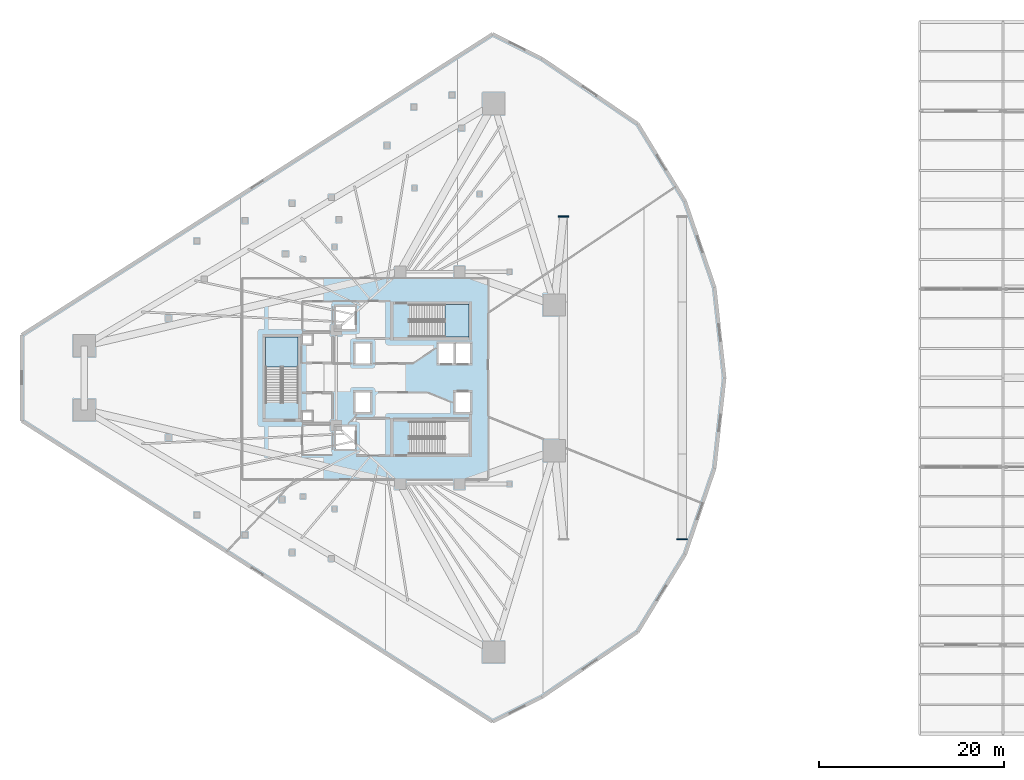
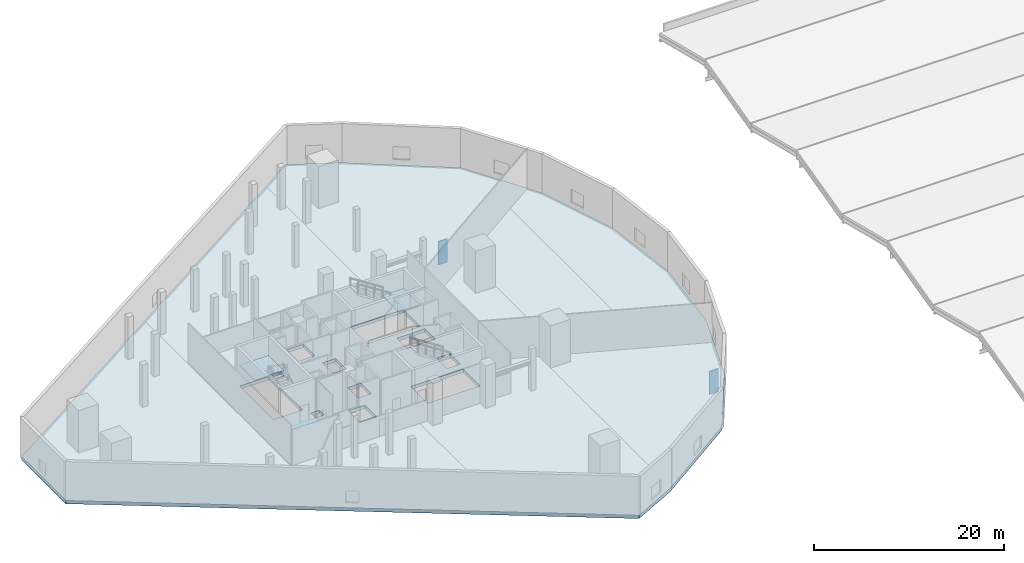
# One storey, part 19 of 36: 3 slabs, 2 plates, 2 elements without a shape of their own.
"""IFC4 building model written with IfcOpenShell, lengths in metres."""

from ifc_helpers import new_model, si_unit, direction, frame, origin, origin_2d, place, context, subcontext, project, spatial, polyline, rectangle, outline, extrude, material, layer, layer_set, type_object, element, aggregate, save


model = new_model("IFC4")

# Units and contexts
model_context = context("Model", 3, precision=1e-05, world=origin(), true_north=direction((0.0, 1.0)))
body_context = subcontext(model_context, "Body", "Model", "MODEL_VIEW")
ifc_project = project(units=[si_unit("LENGTHUNIT", "METRE"), si_unit("AREAUNIT", "SQUARE_METRE"), si_unit("VOLUMEUNIT", "CUBIC_METRE"), si_unit("PLANEANGLEUNIT", "RADIAN"), si_unit("MASSUNIT", "GRAM", prefix="KILO")], contexts=[model_context])

# Site, building, storey
site_placement = place(None, origin())
site = spatial("IfcSite", under=ifc_project, at=site_placement, CompositionType="ELEMENT")
building_placement = place(site_placement, origin())
building = spatial("IfcBuilding", under=site, at=building_placement, Name="Qorvath Tower", CompositionType="ELEMENT")
storey_placement = place(building_placement, frame((0.0, 0.0, 27.0)))
storey = spatial("IfcBuildingStorey", under=building, at=storey_placement, Name="L05", CompositionType="ELEMENT", Elevation=27.0)

# Plates
ifc_material_1 = material(Name="Steel ASTM A572 Grade 42", Category="steel")
ifc_layer_1 = layer(ifc_material_1, 0.1201171875)
ifc_layer_set_1 = layer_set([ifc_layer_1], Name="PL-TG1")
plate_type = type_object("IfcPlateType", Name="PL-TG1", PredefinedType="SHEET", material=ifc_layer_set_1)
for number, where, z_axis, x_axis, name in (
    (1, (6.800048828125, -17.39990234375, -3.419921875), (0.0, 0.0, 1.0), (1.0, 0.0, 0.0), "L05 Transfer Girder Bearing Plate FRONT"),
    (2, (-6.0, 17.39990234375, -3.419921875), (0.0, 0.0, 1.0), (1.0, 0.0, 0.0), "L05 Transfer Girder Bearing Plate INNER"),
):
    element("IfcPlate", number, at=place(storey_placement, frame(where, z_axis=z_axis, x_axis=x_axis)), inside=storey, type_object=plate_type, Name=name, PredefinedType="SHEET", context=body_context, shape_type="SweptSolid", body=[
        extrude(rectangle(XDim=1.10009765625, YDim=0.1201171875, at=origin_2d()), origin(), (0.0, 0.0, 1.0), 3.0),
    ])

# Stair, slab
ifc_material_2 = material(Name="Concrete C50/60", Category="concrete")
stair_type = type_object("IfcStairType", Name="ST-H540", PredefinedType="HALF_TURN_STAIR", material=ifc_material_2)
stair_1_placement = place(storey_placement, origin())
stair_1 = element("IfcStair", 3, at=stair_1_placement, inside=storey, type_object=stair_type, Name="L05 Tower Exit Stair 1", PredefinedType="HALF_TURN_STAIR")
ifc_material_3 = material(Name="Concrete C50/60", Category="concrete")
ifc_layer_2 = layer(ifc_material_3, 0.199951171875)
ifc_layer_set_2 = layer_set([ifc_layer_2], Name="SL-LND-200")
slab_type_1 = type_object("IfcSlabType", Name="SL-LND-200", PredefinedType="LANDING", material=ifc_layer_set_2)
slab_1_placement = place(storey_placement, frame((0.0, 0.0, 2.5)))
slab_1 = element("IfcSlab", 4, at=slab_1_placement, type_object=slab_type_1, Name="TS1 landing 1", PredefinedType="LANDING", context=body_context, shape_type="SweptSolid", body=[
    extrude(outline(polyline([(-18.75, 4.39990234375), (-16.199951171875, 4.39990234375), (-16.199951171875, 7.909912109375), (-18.75, 7.909912109375), (-18.75, 4.39990234375)])), origin(), (0.0, 0.0, 1.0), 0.199951171875),
])
aggregate(stair_1, [slab_1])

stair_2_placement = place(storey_placement, origin())
stair_2 = element("IfcStair", 5, at=stair_2_placement, inside=storey, type_object=stair_type, Name="L05 Tower Exit Stair 3", PredefinedType="HALF_TURN_STAIR")
slab_2_placement = place(storey_placement, frame((0.0, 0.0, 2.5)))
slab_2 = element("IfcSlab", 6, at=slab_2_placement, type_object=slab_type_1, Name="TS3 landing 1", PredefinedType="LANDING", context=body_context, shape_type="SweptSolid", body=[
    extrude(outline(polyline([(-34.60009765625, 1.199951171875), (-34.60009765625, 4.39990234375), (-38.110107421875, 4.39990234375), (-38.110107421875, 1.199951171875), (-34.60009765625, 1.199951171875)])), origin(), (0.0, 0.0, 1.0), 0.199951171875),
])
aggregate(stair_2, [slab_2])

# Slab
ifc_material_4 = material(Name="Concrete C50/60", Category="concrete")
ifc_layer_3 = layer(ifc_material_4, 0.419921875)
ifc_layer_set_3 = layer_set([ifc_layer_3], Name="SL-TRF-420")
slab_type_2 = type_object("IfcSlabType", Name="SL-TRF-420", PredefinedType="FLOOR", material=ifc_layer_set_3)
slab_3_placement = place(storey_placement, frame((0.0, 0.0, -0.419921875)))
element("IfcSlab", 7, at=slab_3_placement, inside=storey, type_object=slab_type_2, Name="Tower L05 Floor Slab", PredefinedType="FLOOR", context=body_context, shape_type="SweptSolid", body=[
    extrude(outline(polyline([(-64.419189453125, 4.63671875), (-64.419189453125, -4.63671875), (-13.63525390625, -37.094482421875), (-8.3359375, -34.44482421875), (2.0205078125, -27.39501953125), (7.139404296875, -19.029052734375), (10.3125, -9.748779296875), (11.387451171875, 0.0), (10.3125, 9.748779296875), (7.139404296875, 19.029052734375), (2.0205078125, 27.39501953125), (-8.3359375, 34.44482421875), (-13.63525390625, 37.094482421875), (-64.419189453125, 4.63671875)]), holes=[polyline([(-17.64990234375, -3.699951171875), (-17.64990234375, -1.550048828125), (-16.050048828125, -1.550048828125), (-16.050048828125, -3.699951171875), (-17.64990234375, -3.699951171875)]), polyline([(-17.64990234375, 1.550048828125), (-17.64990234375, 3.699951171875), (-16.050048828125, 3.699951171875), (-16.050048828125, 1.550048828125), (-17.64990234375, 1.550048828125)]), polyline([(-16.2451171875, -8.199951171875), (-22.625, -8.199951171875), (-22.625, -4.68994140625), (-16.2451171875, -4.68994140625), (-16.2451171875, -8.199951171875)]), polyline([(-22.625, 4.39990234375), (-22.625, 7.909912109375), (-16.2451171875, 7.909912109375), (-16.2451171875, 4.39990234375), (-22.625, 4.39990234375)]), polyline([(-17.85009765625, 1.550048828125), (-19.449951171875, 1.550048828125), (-19.449951171875, 3.699951171875), (-17.85009765625, 3.699951171875), (-17.85009765625, 1.550048828125)]), polyline([(-28.449951171875, -3.699951171875), (-28.449951171875, -1.550048828125), (-26.85009765625, -1.550048828125), (-26.85009765625, -3.699951171875), (-28.449951171875, -3.699951171875)]), polyline([(-26.85009765625, 1.550048828125), (-28.449951171875, 1.550048828125), (-28.449951171875, 3.699951171875), (-26.85009765625, 3.699951171875), (-26.85009765625, 1.550048828125)]), polyline([(-28.5, -7.64990234375), (-30.5, -7.64990234375), (-30.5, -5.25), (-28.5, -5.25), (-28.5, -7.64990234375)]), polyline([(-30.5, 5.25), (-30.5, 7.64990234375), (-28.5, 7.64990234375), (-28.5, 5.25), (-30.5, 5.25)]), polyline([(-34.14990234375, -4.6201171875), (-34.14990234375, -3.64990234375), (-33.10009765625, -3.64990234375), (-33.10009765625, -4.6201171875), (-34.14990234375, -4.6201171875)]), polyline([(-34.14990234375, 3.64990234375), (-34.14990234375, 4.6201171875), (-33.10009765625, 4.6201171875), (-33.10009765625, 3.64990234375), (-34.14990234375, 3.64990234375)]), polyline([(-34.60009765625, -2.675048828125), (-38.110107421875, -2.675048828125), (-38.110107421875, 4.35498046875), (-34.60009765625, 4.35498046875), (-34.60009765625, -2.675048828125)])]), origin(), (0.0, 0.0, 1.0), 0.419921875),
])

save(model, "model.ifc")
